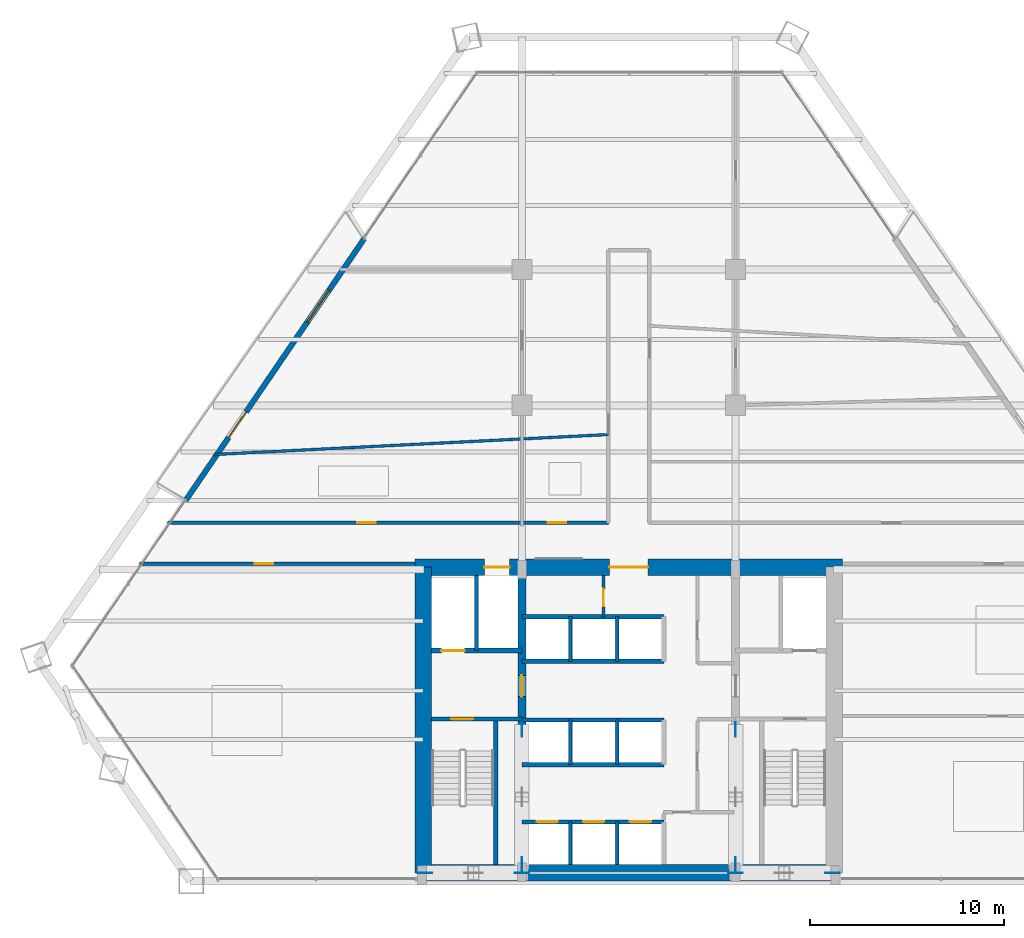
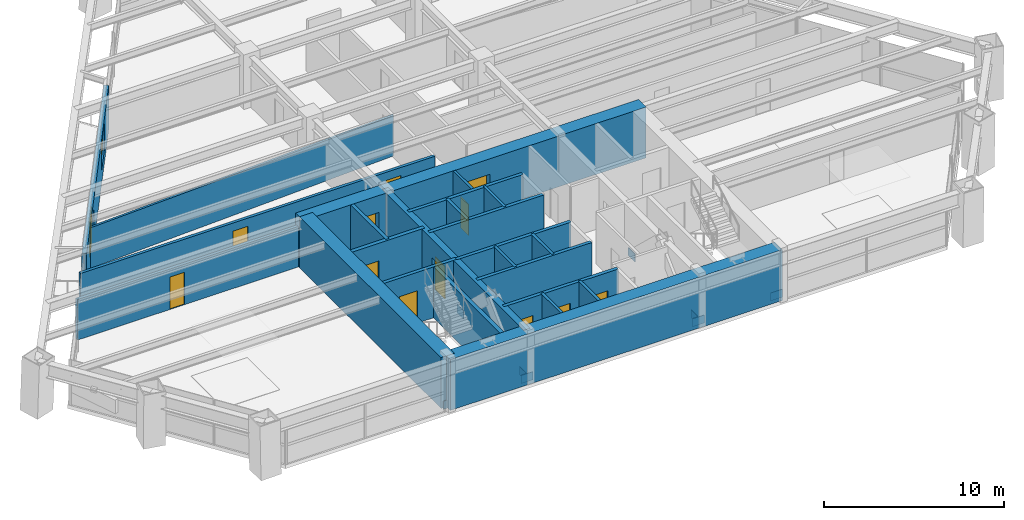
# One storey, part 10 of 14: 24 walls, 13 doors, 8 plates, 1 window, 14 openings.
"""IFC4 building model written with IfcOpenShell, lengths in metres."""

from ifc_helpers import new_model, si_unit, direction, frame, frame_2d, origin, origin_2d, place, context, subcontext, project, spatial, rectangle, extrude, source, transform, mapped, material, layer, layer_set, type_object, type_shapes, element, fill, save


model = new_model("IFC4")

# Units and contexts
model_context = context("Model", 3, precision=1e-05, world=origin(), true_north=direction((0.0, 1.0)))
body_context = subcontext(model_context, "Body", "Model", "MODEL_VIEW")
ifc_project = project(units=[si_unit("LENGTHUNIT", "METRE"), si_unit("AREAUNIT", "SQUARE_METRE"), si_unit("VOLUMEUNIT", "CUBIC_METRE"), si_unit("PLANEANGLEUNIT", "RADIAN"), si_unit("MASSUNIT", "GRAM", prefix="KILO")], contexts=[model_context])

# Site, building, storey
site_placement = place(None, origin())
site = spatial("IfcSite", under=ifc_project, at=site_placement, CompositionType="ELEMENT")
building_placement = place(site_placement, origin())
building = spatial("IfcBuilding", under=site, at=building_placement, Name="Varnakhor Terracotta Tower", CompositionType="ELEMENT")
storey_placement = place(building_placement, frame((0.0, 0.0, 31.199951171875)))
storey = spatial("IfcBuildingStorey", under=building, at=storey_placement, Name="L06", CompositionType="ELEMENT", Elevation=31.199951171875)

# Plates
ifc_material_1 = material(Name="Steel S460", Category="steel")
ifc_layer_1 = layer(ifc_material_1, 0.050048828125, Name="Steel S460")
ifc_layer_set_1 = layer_set([ifc_layer_1], Name="Steel S460")
plate_type = type_object("IfcPlateType", Name="PLT-GUSSET-50", PredefinedType="USERDEFINED", material=ifc_layer_set_1)
shared_shape_1 = source(origin(), body_context, "Body", "SweptSolid", [
    extrude(rectangle(XDim=0.75, YDim=0.0400390625, at=origin_2d()), origin(), (0.0, 0.0, 1.0), 0.550048828125),
])
type_shapes(plate_type, [shared_shape_1])
for number, where, z_axis, x_axis, name in (
    (1, (-10.5, 0.419921875, -0.09521484375), (0.0, 0.0, 1.0), (1.0, 0.0, 0.0), "L06 Core Brace Embed Plate CSWA"),
    (2, (-5.5, 0.419921875, -0.09521484375), (0.0, 0.0, 1.0), (1.0, 0.0, 0.0), "L06 Core Brace Embed Plate CSWB"),
    (3, (5.5, 0.419921875, -0.09521484375), (0.0, 0.0, 1.0), (1.0, 0.0, 0.0), "L06 Core Brace Embed Plate CSEA"),
    (4, (10.5, 0.419921875, -0.09521484375), (0.0, 0.0, 1.0), (1.0, 0.0, 0.0), "L06 Core Brace Embed Plate CSEB"),
    (5, (-5.5, 0.85009765625, -0.09521484375), (0.0, 0.0, 1.0), (0.0, 1.0, 0.0), "L06 Core Brace Embed Plate CWWA"),
    (6, (-5.5, 7.800048828125, -0.09521484375), (0.0, 0.0, 1.0), (0.0, 1.0, 0.0), "L06 Core Brace Embed Plate CWWB"),
    (7, (5.5, 0.85009765625, -0.09521484375), (0.0, 0.0, 1.0), (0.0, 1.0, 0.0), "L06 Core Brace Embed Plate CWEA"),
    (8, (5.5, 7.800048828125, -0.09521484375), (0.0, 0.0, 1.0), (0.0, 1.0, 0.0), "L06 Core Brace Embed Plate CWEB"),
):
    element("IfcPlate", number, at=place(storey_placement, frame(where, z_axis=z_axis, x_axis=x_axis)), inside=storey, type_object=plate_type, Name=name, ObjectType="GUSSET PLATE", PredefinedType="USERDEFINED", context=body_context, shape_type="MappedRepresentation", body=[
        mapped(shared_shape_1, transform((0.0, 0.0, 0.0), scale=1.0)),
    ])

# Wall
ifc_material_2 = material(Name="Concrete C60/75", Category="concrete")
ifc_layer_2 = layer(ifc_material_2, 0.85009765625, Name="Concrete C60/75")
ifc_layer_set_2 = layer_set([ifc_layer_2], Name="Concrete C60/75")
wall_type_1 = type_object("IfcWallType", Name="WAL-CORE-850", PredefinedType="SHEAR", material=ifc_layer_set_2)
wall_1_placement = place(storey_placement, frame((-10.64990234375, 0.425048828125, 0.0), z_axis=(0.0, 0.0, 1.0), x_axis=(1.0, 0.0, 0.0)))
element("IfcWall", 9, at=wall_1_placement, inside=storey, type_object=wall_type_1, Name="L06 South Core Shear Wall", PredefinedType="SHEAR", context=body_context, shape_type="SweptSolid", body=[
    extrude(rectangle(XDim=21.2998046875, YDim=0.85009765625, at=frame_2d((10.64990234375, 0.0))), origin(), (0.0, 0.0, 1.0), 3.449951171875),
])

# Wall, openings, doors
wall_2_placement = place(storey_placement, frame((-11.0, 16.175048828125, 0.0), z_axis=(0.0, 0.0, 1.0), x_axis=(1.0, 0.0, 0.0)))
wall_2 = element("IfcWall", 10, at=wall_2_placement, inside=storey, type_object=wall_type_1, Name="L06 North Core Shear Wall", PredefinedType="SHEAR", context=body_context, shape_type="SweptSolid", body=[
    extrude(rectangle(XDim=22.0, YDim=0.85009765625, at=frame_2d((11.0, 0.0))), origin(), (0.0, 0.0, 1.0), 3.449951171875),
])
opening_1_placement = place(wall_2_placement, frame((3.570068359375, 0.0, 0.0)))
opening_1 = element("IfcOpeningElement", 11, at=opening_1_placement, cuts=wall_2, Name="Opening LD-03", PredefinedType="OPENING", context=body_context, shape_type="SweptSolid", body=[
    extrude(rectangle(XDim=1.300048828125, YDim=2.300048828125, at=frame_2d((0.64990234375, 1.14990234375))), frame((0.0, 0.43505859375, 0.0), z_axis=(0.0, -1.0, 0.0), x_axis=(1.0, 0.0, 0.0)), (0.0, 0.0, 1.0), 0.8701171875),
])
opening_2_placement = place(wall_2_placement, frame((10.0, 0.0, 0.0)))
opening_2 = element("IfcOpeningElement", 12, at=opening_2_placement, cuts=wall_2, Name="Opening DR-32", PredefinedType="OPENING", context=body_context, shape_type="SweptSolid", body=[
    extrude(rectangle(XDim=2.0, YDim=2.39990234375, at=frame_2d((1.0, 1.199951171875))), frame((0.0, 0.43505859375, 0.0), z_axis=(0.0, -1.0, 0.0), x_axis=(1.0, 0.0, 0.0)), (0.0, 0.0, 1.0), 0.8701171875),
])
ifc_material_3 = material(Name="Heavy-Duty Goods Sliding Lift Landing Door", Category="steel")
door_type_1 = type_object("IfcDoorType", Name="LD-SRV-1300X2300", OperationType="NOTDEFINED", PredefinedType="DOOR", material=ifc_material_3)
shared_shape_2 = source(origin(), body_context, "Body", "SweptSolid", [
    extrude(rectangle(XDim=1.300048828125, YDim=2.300048828125, at=frame_2d((0.64990234375, 1.14990234375))), frame((0.0, 0.02490234375, 0.0), z_axis=(0.0, -1.0, 0.0), x_axis=(1.0, 0.0, 0.0)), (0.0, 0.0, 1.0), 0.050048828125),
])
type_shapes(door_type_1, [shared_shape_2])
door_1_placement = place(opening_1_placement, origin())
door_1 = element("IfcDoor", 13, at=door_1_placement, inside=storey, type_object=door_type_1, Name="L06 Service Lift SVL-1 Landing Door", OperationType="SLIDING_TO_RIGHT", OverallHeight=2.300048828125, OverallWidth=1.300048828125, PredefinedType="DOOR", context=body_context, shape_type="MappedRepresentation", body=[
    mapped(shared_shape_2, transform((0.0, 0.0, 0.0), scale=1.0)),
])
fill(opening_1, door_1)
ifc_material_4 = material(Name="Acoustic Double Assembly Fire Door", Category="wood")
door_type_2 = type_object("IfcDoorType", Name="DR-HALL-2000X2400", OperationType="NOTDEFINED", PredefinedType="DOOR", material=ifc_material_4)
shared_shape_3 = source(origin(), body_context, "Body", "SweptSolid", [
    extrude(rectangle(XDim=2.0, YDim=2.39990234375, at=frame_2d((1.0, 1.199951171875))), frame((0.0, 0.02490234375, 0.0), z_axis=(0.0, -1.0, 0.0), x_axis=(1.0, 0.0, 0.0)), (0.0, 0.0, 1.0), 0.050048828125),
])
type_shapes(door_type_2, [shared_shape_3])
door_2_placement = place(opening_2_placement, origin())
door_2 = element("IfcDoor", 14, at=door_2_placement, inside=storey, type_object=door_type_2, Name="L06 Core Main Lobby Double Door", OperationType="DOUBLE_DOOR_SINGLE_SWING", OverallHeight=2.39990234375, OverallWidth=2.0, PredefinedType="DOOR", context=body_context, shape_type="MappedRepresentation", body=[
    mapped(shared_shape_3, transform((0.0, 0.0, 0.0), scale=1.0)),
])
fill(opening_2, door_2)

# Wall
wall_3_placement = place(storey_placement, frame((-10.574951171875, 0.425048828125, 0.0), z_axis=(0.0, 0.0, 1.0), x_axis=(0.0, 1.0, 0.0)))
element("IfcWall", 15, at=wall_3_placement, inside=storey, type_object=wall_type_1, Name="L06 West Core Shear Wall", PredefinedType="SHEAR", context=body_context, shape_type="SweptSolid", body=[
    extrude(rectangle(XDim=15.75, YDim=0.85009765625, at=frame_2d((7.875, 0.0))), origin(), (0.0, 0.0, 1.0), 3.449951171875),
])

# Wall, opening, door
ifc_material_5 = material(Name="Concrete C50/60", Category="concrete")
ifc_layer_3 = layer(ifc_material_5, 0.39990234375, Name="Concrete C50/60")
ifc_layer_set_3 = layer_set([ifc_layer_3], Name="Concrete C50/60")
wall_type_2 = type_object("IfcWallType", Name="WAL-CORE-WEB-400", PredefinedType="SHEAR", material=ifc_layer_set_3)
wall_4_placement = place(storey_placement, frame((-5.5, 0.425048828125, 0.0), z_axis=(0.0, 0.0, 1.0), x_axis=(0.0, 1.0, 0.0)))
wall_4 = element("IfcWall", 16, at=wall_4_placement, inside=storey, type_object=wall_type_2, Name="L06 West Core Web Shear Wall", PredefinedType="SHEAR", context=body_context, shape_type="SweptSolid", body=[
    extrude(rectangle(XDim=15.75, YDim=0.39990234375, at=frame_2d((7.875, 0.0))), origin(), (0.0, 0.0, 1.0), 3.449951171875),
])
opening_3_placement = place(wall_4_placement, frame((9.074951171875, 0.0, 0.0)))
opening_3 = element("IfcOpeningElement", 17, at=opening_3_placement, cuts=wall_4, Name="Opening DR-25", PredefinedType="OPENING", context=body_context, shape_type="SweptSolid", body=[
    extrude(rectangle(XDim=1.10009765625, YDim=2.199951171875, at=frame_2d((0.550048828125, 1.10009765625))), frame((0.0, 0.2099609375, 0.0), z_axis=(0.0, -1.0, 0.0), x_axis=(1.0, 0.0, 0.0)), (0.0, 0.0, 1.0), 0.419921875),
])
ifc_material_6 = material(Name="Firefighting Lobby Self-Closing Fire Door", Category="steel")
door_type_3 = type_object("IfcDoorType", Name="DR-FFL-1100X2200", OperationType="NOTDEFINED", PredefinedType="DOOR", material=ifc_material_6)
shared_shape_4 = source(origin(), body_context, "Body", "SweptSolid", [
    extrude(rectangle(XDim=1.10009765625, YDim=2.199951171875, at=frame_2d((0.550048828125, 1.10009765625))), frame((0.0, 0.02490234375, 0.0), z_axis=(0.0, -1.0, 0.0), x_axis=(1.0, 0.0, 0.0)), (0.0, 0.0, 1.0), 0.050048828125),
])
type_shapes(door_type_3, [shared_shape_4])
door_3_placement = place(opening_3_placement, origin())
door_3 = element("IfcDoor", 18, at=door_3_placement, inside=storey, type_object=door_type_3, Name="L06 West Firefighting Lobby Door", OperationType="SINGLE_SWING_RIGHT", OverallHeight=2.199951171875, OverallWidth=1.10009765625, PredefinedType="DOOR", context=body_context, shape_type="MappedRepresentation", body=[
    mapped(shared_shape_4, transform((0.0, 0.0, 0.0), scale=1.0)),
])
fill(opening_3, door_3)

ifc_material_7 = material(Name="Fire-Rated Gypsum Stud Partition", Category="gypsum")
ifc_layer_4 = layer(ifc_material_7, 0.18505859375, Name="Fire-Rated Gypsum Stud Partition")
ifc_layer_set_4 = layer_set([ifc_layer_4], Name="Fire-Rated Gypsum Stud Partition")
wall_type_3 = type_object("IfcWallType", Name="WAL-CORR-185", PredefinedType="PARTITIONING", material=ifc_layer_set_4)
wall_5_placement = place(storey_placement, frame((-25.19873046875, 16.35009765625, 0.0), z_axis=(0.0, 0.0, 1.0), x_axis=(1.0, 0.0, 0.0)))
wall_5 = element("IfcWall", 19, at=wall_5_placement, inside=storey, type_object=wall_type_3, Name="L06 South West Corridor Wall", PredefinedType="PARTITIONING", context=body_context, shape_type="SweptSolid", body=[
    extrude(rectangle(XDim=14.1787109375, YDim=0.18505859375, at=frame_2d((7.08935546875, 0.0))), origin(), (0.0, 0.0, 1.0), 2.7470703125),
])
opening_4_placement = place(wall_5_placement, frame((5.939453125, 0.0, 0.0)))
opening_4 = element("IfcOpeningElement", 20, at=opening_4_placement, cuts=wall_5, Name="Opening DR-94", PredefinedType="OPENING", context=body_context, shape_type="SweptSolid", body=[
    extrude(rectangle(XDim=0.949951171875, YDim=2.199951171875, at=frame_2d((0.47509765625, 1.10009765625))), frame((0.0, 0.1025390625, 0.0), z_axis=(0.0, -1.0, 0.0), x_axis=(1.0, 0.0, 0.0)), (0.0, 0.0, 1.0), 0.205078125),
])
ifc_material_8 = material(Name="Acoustic Glazed-Vision Timber Office Door", Category="wood")
door_type_4 = type_object("IfcDoorType", Name="DR-OFF-950X2200", OperationType="NOTDEFINED", PredefinedType="DOOR", material=ifc_material_8)
shared_shape_5 = source(origin(), body_context, "Body", "SweptSolid", [
    extrude(rectangle(XDim=0.949951171875, YDim=2.199951171875, at=frame_2d((0.47509765625, 1.10009765625))), frame((0.0, 0.02490234375, 0.0), z_axis=(0.0, -1.0, 0.0), x_axis=(1.0, 0.0, 0.0)), (0.0, 0.0, 1.0), 0.050048828125),
])
type_shapes(door_type_4, [shared_shape_5])
door_4_placement = place(opening_4_placement, origin())
door_4 = element("IfcDoor", 21, at=door_4_placement, inside=storey, type_object=door_type_4, Name="L06 SW Suite Door", OperationType="SINGLE_SWING_LEFT", OverallHeight=2.199951171875, OverallWidth=0.949951171875, PredefinedType="DOOR", context=body_context, shape_type="MappedRepresentation", body=[
    mapped(shared_shape_5, transform((0.0, 0.0, 0.0), scale=1.0)),
])
fill(opening_4, door_4)

# Wall, openings, doors
wall_6_placement = place(storey_placement, frame((-23.766357421875, 18.449951171875, 0.0), z_axis=(0.0, 0.0, 1.0), x_axis=(1.0, 0.0, 0.0)))
wall_6 = element("IfcWall", 22, at=wall_6_placement, inside=storey, type_object=wall_type_3, Name="L06 Corridor North West Wall", PredefinedType="PARTITIONING", context=body_context, shape_type="SweptSolid", body=[
    extrude(rectangle(XDim=22.71630859375, YDim=0.18505859375, at=frame_2d((11.358154296875, 0.0))), origin(), (0.0, 0.0, 1.0), 2.7470703125),
])
opening_5_placement = place(wall_6_placement, frame((9.781494140625, 0.0, 0.0)))
opening_5 = element("IfcOpeningElement", 23, at=opening_5_placement, cuts=wall_6, Name="Opening DR-94", PredefinedType="OPENING", context=body_context, shape_type="SweptSolid", body=[
    extrude(rectangle(XDim=0.949951171875, YDim=2.199951171875, at=frame_2d((0.47509765625, 1.10009765625))), frame((0.0, 0.1025390625, 0.0), z_axis=(0.0, -1.0, 0.0), x_axis=(1.0, 0.0, 0.0)), (0.0, 0.0, 1.0), 0.205078125),
])
opening_6_placement = place(wall_6_placement, frame((19.589599609375, 0.0, 0.0)))
opening_6 = element("IfcOpeningElement", 24, at=opening_6_placement, cuts=wall_6, Name="Opening DR-94", PredefinedType="OPENING", context=body_context, shape_type="SweptSolid", body=[
    extrude(rectangle(XDim=0.949951171875, YDim=2.199951171875, at=frame_2d((0.47509765625, 1.10009765625))), frame((0.0, 0.1025390625, 0.0), z_axis=(0.0, -1.0, 0.0), x_axis=(1.0, 0.0, 0.0)), (0.0, 0.0, 1.0), 0.205078125),
])
door_5_placement = place(opening_5_placement, origin())
door_5 = element("IfcDoor", 25, at=door_5_placement, inside=storey, type_object=door_type_4, Name="L06 West Workplace Door", OperationType="SINGLE_SWING_LEFT", OverallHeight=2.199951171875, OverallWidth=0.949951171875, PredefinedType="DOOR", context=body_context, shape_type="MappedRepresentation", body=[
    mapped(shared_shape_5, transform((0.0, 0.0, 0.0), scale=1.0)),
])
fill(opening_5, door_5)
door_6_placement = place(opening_6_placement, origin())
door_6 = element("IfcDoor", 26, at=door_6_placement, inside=storey, type_object=door_type_4, Name="L06 Executive Office 2 B7 Door", OperationType="SINGLE_SWING_RIGHT", OverallHeight=2.199951171875, OverallWidth=0.949951171875, PredefinedType="DOOR", context=body_context, shape_type="MappedRepresentation", body=[
    mapped(shared_shape_5, transform((0.0, 0.0, 0.0), scale=1.0)),
])
fill(opening_6, door_6)

# Wall, openings, door, window
ifc_material_9 = material(Name="Extruded Architectural Terracotta Assembly", Category="masonry")
ifc_layer_5 = layer(ifc_material_9, 0.280029296875, Name="Extruded Architectural Terracotta Assembly")
ifc_layer_set_5 = layer_set([ifc_layer_5], Name="Extruded Architectural Terracotta Assembly")
wall_type_4 = type_object("IfcWallType", Name="WAL-EXT-TERRACOTTA-280", PredefinedType="SOLIDWALL", material=ifc_layer_set_5)
wall_7_placement = place(storey_placement, frame((-22.81689453125, 19.611328125, 0.0), z_axis=(0.0, 0.0, 1.0), x_axis=(0.563492719081, 0.826121029598, 0.0)))
wall_7 = element("IfcWall", 27, at=wall_7_placement, inside=storey, type_object=wall_type_4, Name="L06 W Loggia Insulated Terracotta Wall", PredefinedType="SOLIDWALL", context=body_context, shape_type="SweptSolid", body=[
    extrude(rectangle(XDim=16.32666015625, YDim=0.280029296875, at=frame_2d((8.163330078125, 0.0))), origin(), (0.0, 0.0, 1.0), 3.030029296875),
])
opening_7_placement = place(wall_7_placement, frame((3.91845703125, 0.0, 0.0)))
opening_7 = element("IfcOpeningElement", 28, at=opening_7_placement, cuts=wall_7, Name="Opening DR-62", PredefinedType="OPENING", context=body_context, shape_type="SweptSolid", body=[
    extrude(rectangle(XDim=1.60009765625, YDim=2.35009765625, at=frame_2d((0.800048828125, 1.175048828125))), frame((0.0, 0.14990234375, 0.0), z_axis=(0.0, -1.0, 0.0), x_axis=(1.0, 0.0, 0.0)), (0.0, 0.0, 1.0), 0.300048828125),
])
opening_8_placement = place(wall_7_placement, frame((11.102294921875, 0.0, 0.89990234375)))
opening_8 = element("IfcOpeningElement", 29, at=opening_8_placement, cuts=wall_7, Name="Opening WN-26", PredefinedType="OPENING", context=body_context, shape_type="SweptSolid", body=[
    extrude(rectangle(XDim=2.0, YDim=1.85009765625, at=frame_2d((1.0, 0.925048828125))), frame((0.0, 0.14990234375, 0.0), z_axis=(0.0, -1.0, 0.0), x_axis=(1.0, 0.0, 0.0)), (0.0, 0.0, 1.0), 0.300048828125),
])
ifc_material_10 = material(Name="Thermally Broken Sliding Glass Loggia Door", Category="glass")
door_type_5 = type_object("IfcDoorType", Name="DR-EXT-LOGGIA-1600X2350", OperationType="NOTDEFINED", PredefinedType="DOOR", material=ifc_material_10)
shared_shape_6 = source(origin(), body_context, "Body", "SweptSolid", [
    extrude(rectangle(XDim=1.60009765625, YDim=2.35009765625, at=frame_2d((0.800048828125, 1.175048828125))), frame((0.0, 0.02490234375, 0.0), z_axis=(0.0, -1.0, 0.0), x_axis=(1.0, 0.0, 0.0)), (0.0, 0.0, 1.0), 0.050048828125),
])
type_shapes(door_type_5, [shared_shape_6])
door_7_placement = place(opening_7_placement, origin())
door_7 = element("IfcDoor", 30, at=door_7_placement, inside=storey, type_object=door_type_5, Name="L06 W Recessed Loggia Sliding Door", OperationType="SLIDING_TO_LEFT", OverallHeight=2.35009765625, OverallWidth=1.60009765625, PredefinedType="DOOR", context=body_context, shape_type="MappedRepresentation", body=[
    mapped(shared_shape_6, transform((0.0, 0.0, 0.0), scale=1.0)),
])
fill(opening_7, door_7)
ifc_material_11 = material(Name="Solar-Control Low-E Insulated Glass Unit", Category="glass")
window_type = type_object("IfcWindowType", Name="WIN-OFF-2200X2100", PartitioningType="SINGLE_PANEL", PredefinedType="WINDOW", material=ifc_material_11)
shared_shape_7 = source(origin(), body_context, "Body", "SweptSolid", [
    extrude(rectangle(XDim=2.0, YDim=1.85009765625, at=frame_2d((1.0, 0.925048828125))), frame((0.0, 0.030029296875, 0.0), z_axis=(0.0, -1.0, 0.0), x_axis=(1.0, 0.0, 0.0)), (0.0, 0.0, 1.0), 0.06005859375),
])
type_shapes(window_type, [shared_shape_7])
window_placement = place(opening_8_placement, origin())
window = element("IfcWindow", 31, at=window_placement, inside=storey, type_object=window_type, Name="L06 W Facet Punched Window", OverallHeight=1.85009765625, OverallWidth=2.0, PartitioningType="SINGLE_PANEL", PredefinedType="WINDOW", context=body_context, shape_type="MappedRepresentation", body=[
    mapped(shared_shape_7, transform((0.0, 0.0, 0.0), scale=1.0)),
])
fill(opening_8, window)

# Wall, opening, door
ifc_material_12 = material(Name="Concrete C40/50", Category="concrete")
ifc_layer_6 = layer(ifc_material_12, 0.219970703125, Name="Concrete C40/50")
ifc_layer_set_6 = layer_set([ifc_layer_6], Name="Concrete C40/50")
wall_type_5 = type_object("IfcWallType", Name="WAL-FFLOBBY-220", PredefinedType="SOLIDWALL", material=ifc_layer_set_6)
wall_8_placement = place(storey_placement, frame((-5.5, 8.35009765625, 0.0), z_axis=(0.0, 0.0, 1.0), x_axis=(-1.0, 0.0, 0.0)))
wall_8 = element("IfcWall", 32, at=wall_8_placement, inside=storey, type_object=wall_type_5, Name="L06 West Firefighting Lobby Stair Wall", PredefinedType="SOLIDWALL", context=body_context, shape_type="SweptSolid", body=[
    extrude(rectangle(XDim=4.64990234375, YDim=0.219970703125, at=frame_2d((2.324951171875, 0.0))), origin(), (0.0, 0.0, 1.0), 3.449951171875),
])
opening_9_placement = place(wall_8_placement, frame((2.5, 0.0, 0.0)))
opening_9 = element("IfcOpeningElement", 33, at=opening_9_placement, cuts=wall_8, Name="Opening DR-34", PredefinedType="OPENING", context=body_context, shape_type="SweptSolid", body=[
    extrude(rectangle(XDim=1.14990234375, YDim=2.199951171875, at=frame_2d((0.574951171875, 1.10009765625))), frame((0.0, 0.1201171875, 0.0), z_axis=(0.0, -1.0, 0.0), x_axis=(1.0, 0.0, 0.0)), (0.0, 0.0, 1.0), 0.239990234375),
])
ifc_material_13 = material(Name="Self-Closing Smoke-Sealed Steel Fire Door", Category="steel")
door_type_6 = type_object("IfcDoorType", Name="DR-STAIR-1150X2200", OperationType="NOTDEFINED", PredefinedType="DOOR", material=ifc_material_13)
shared_shape_8 = source(origin(), body_context, "Body", "SweptSolid", [
    extrude(rectangle(XDim=1.14990234375, YDim=2.199951171875, at=frame_2d((0.574951171875, 1.10009765625))), frame((0.0, 0.02490234375, 0.0), z_axis=(0.0, -1.0, 0.0), x_axis=(1.0, 0.0, 0.0)), (0.0, 0.0, 1.0), 0.050048828125),
])
type_shapes(door_type_6, [shared_shape_8])
door_8_placement = place(opening_9_placement, origin())
door_8 = element("IfcDoor", 34, at=door_8_placement, inside=storey, type_object=door_type_6, Name="L06 Exit Stair ST-1 Fire Door", OperationType="SINGLE_SWING_LEFT", OverallHeight=2.199951171875, OverallWidth=1.14990234375, PredefinedType="DOOR", context=body_context, shape_type="MappedRepresentation", body=[
    mapped(shared_shape_8, transform((0.0, 0.0, 0.0), scale=1.0)),
])
fill(opening_9, door_8)

# Walls
ifc_material_14 = material(Name="Acoustic Metal-Stud Partition", Category="gypsum")
ifc_layer_7 = layer(ifc_material_14, 0.139892578125, Name="Acoustic Metal-Stud Partition")
ifc_layer_set_7 = layer_set([ifc_layer_7], Name="Acoustic Metal-Stud Partition")
wall_type_6 = type_object("IfcWallType", Name="WAL-PART-140", PredefinedType="PARTITIONING", material=ifc_layer_set_7)
wall_9_placement = place(storey_placement, frame((-21.364501953125, 21.971435546875, 0.0), z_axis=(0.0, 0.0, 1.0), x_axis=(0.998720651947, 0.050567374611, 0.0)))
element("IfcWall", 35, at=wall_9_placement, inside=storey, type_object=wall_type_6, Name="L06 West Wing Cut 1", PredefinedType="PARTITIONING", context=body_context, shape_type="SweptSolid", body=[
    extrude(rectangle(XDim=20.340576171875, YDim=0.139892578125, at=frame_2d((10.17041015625, 0.0))), origin(), (0.0, 0.0, 1.0), 2.7470703125),
])
ifc_layer_8 = layer(ifc_material_12, 0.179931640625, Name="Concrete C40/50")
ifc_layer_set_8 = layer_set([ifc_layer_8], Name="Concrete C40/50")
wall_type_7 = type_object("IfcWallType", Name="WAL-SHAFT-180", PredefinedType="SOLIDWALL", material=ifc_layer_set_8)
for number, where, z_axis, x_axis, name in (
    (36, (-3.0, 0.85009765625, 0.0), (0.0, 0.0, 1.0), (0.0, 1.0, 0.0), "L06 PL-1A Divider"),
    (37, (-0.60009765625, 0.85009765625, 0.0), (0.0, 0.0, 1.0), (0.0, 1.0, 0.0), "L06 PL-1B Divider"),
):
    element("IfcWall", number, at=place(storey_placement, frame(where, z_axis=z_axis, x_axis=x_axis)), inside=storey, type_object=wall_type_7, Name=name, PredefinedType="SOLIDWALL", context=body_context, shape_type="SweptSolid", body=[
        extrude(rectangle(XDim=2.199951171875, YDim=0.179931640625, at=frame_2d((1.10009765625, 0.0))), origin(), (0.0, 0.0, 1.0), 3.449951171875),
    ])
for number, where, z_axis, x_axis, name in (
    (38, (-3.0, 6.0, 0.0), (0.0, 0.0, 1.0), (0.0, 1.0, 0.0), "L06 PL-2A Divider"),
    (39, (-0.60009765625, 6.0, 0.0), (0.0, 0.0, 1.0), (0.0, 1.0, 0.0), "L06 PL-2B Divider"),
    (40, (-3.0, 11.320068359375, 0.0), (0.0, 0.0, 1.0), (0.0, 1.0, 0.0), "L06 PL-3A Divider"),
    (41, (-0.60009765625, 11.320068359375, 0.0), (0.0, 0.0, 1.0), (0.0, 1.0, 0.0), "L06 PL-3B Divider"),
):
    element("IfcWall", number, at=place(storey_placement, frame(where, z_axis=z_axis, x_axis=x_axis)), inside=storey, type_object=wall_type_7, Name=name, PredefinedType="SOLIDWALL", context=body_context, shape_type="SweptSolid", body=[
        extrude(rectangle(XDim=2.300048828125, YDim=0.179931640625, at=frame_2d((1.14990234375, 0.0))), origin(), (0.0, 0.0, 1.0), 3.449951171875),
    ])
ifc_layer_9 = layer(ifc_material_12, 0.219970703125, Name="Concrete C40/50")
ifc_layer_set_9 = layer_set([ifc_layer_9], Name="Concrete C40/50")
wall_type_8 = type_object("IfcWallType", Name="WAL-SHAFT-220", PredefinedType="SOLIDWALL", material=ifc_layer_set_9)
wall_10_placement = place(storey_placement, frame((-7.840087890625, 11.8701171875, 0.0), z_axis=(0.0, 0.0, 1.0), x_axis=(0.0, 1.0, 0.0)))
element("IfcWall", 42, at=wall_10_placement, inside=storey, type_object=wall_type_8, Name="L06 Lift FFL-1 and SVL-1 Divider Wall", PredefinedType="SOLIDWALL", context=body_context, shape_type="SweptSolid", body=[
    extrude(rectangle(XDim=3.8798828125, YDim=0.219970703125, at=frame_2d((1.93994140625, 0.0))), origin(), (0.0, 0.0, 1.0), 3.449951171875),
])

# Wall, openings, doors
wall_11_placement = place(storey_placement, frame((-5.5, 3.050048828125, 0.0), z_axis=(0.0, 0.0, 1.0), x_axis=(1.0, 0.0, 0.0)))
wall_11 = element("IfcWall", 43, at=wall_11_placement, inside=storey, type_object=wall_type_8, Name="L06 Bank 1 Lift Shaft Wall", PredefinedType="SOLIDWALL", context=body_context, shape_type="SweptSolid", body=[
    extrude(rectangle(XDim=7.320068359375, YDim=0.219970703125, at=frame_2d((3.66015625, 0.0))), origin(), (0.0, 0.0, 1.0), 3.449951171875),
])
opening_10_placement = place(wall_11_placement, frame((0.75, 0.0, 0.0)))
opening_10 = element("IfcOpeningElement", 44, at=opening_10_placement, cuts=wall_11, Name="Opening LD-01", PredefinedType="OPENING", context=body_context, shape_type="SweptSolid", body=[
    extrude(rectangle(XDim=1.10009765625, YDim=2.199951171875, at=frame_2d((0.550048828125, 1.10009765625))), frame((0.0, 0.1201171875, 0.0), z_axis=(0.0, -1.0, 0.0), x_axis=(1.0, 0.0, 0.0)), (0.0, 0.0, 1.0), 0.239990234375),
])
opening_11_placement = place(wall_11_placement, frame((3.14990234375, 0.0, 0.0)))
opening_11 = element("IfcOpeningElement", 45, at=opening_11_placement, cuts=wall_11, Name="Opening LD-01", PredefinedType="OPENING", context=body_context, shape_type="SweptSolid", body=[
    extrude(rectangle(XDim=1.10009765625, YDim=2.199951171875, at=frame_2d((0.550048828125, 1.10009765625))), frame((0.0, 0.1201171875, 0.0), z_axis=(0.0, -1.0, 0.0), x_axis=(1.0, 0.0, 0.0)), (0.0, 0.0, 1.0), 0.239990234375),
])
opening_12_placement = place(wall_11_placement, frame((5.550048828125, 0.0, 0.0)))
opening_12 = element("IfcOpeningElement", 46, at=opening_12_placement, cuts=wall_11, Name="Opening LD-01", PredefinedType="OPENING", context=body_context, shape_type="SweptSolid", body=[
    extrude(rectangle(XDim=1.10009765625, YDim=2.199951171875, at=frame_2d((0.550048828125, 1.10009765625))), frame((0.0, 0.1201171875, 0.0), z_axis=(0.0, -1.0, 0.0), x_axis=(1.0, 0.0, 0.0)), (0.0, 0.0, 1.0), 0.239990234375),
])
ifc_material_15 = material(Name="Brushed Stainless Steel Sliding Lift Landing Door", Category="steel")
door_type_7 = type_object("IfcDoorType", Name="LD-PASS-1100X2200", OperationType="NOTDEFINED", PredefinedType="DOOR", material=ifc_material_15)
shared_shape_9 = source(origin(), body_context, "Body", "SweptSolid", [
    extrude(rectangle(XDim=1.10009765625, YDim=2.199951171875, at=frame_2d((0.550048828125, 1.10009765625))), frame((0.0, 0.02490234375, 0.0), z_axis=(0.0, -1.0, 0.0), x_axis=(1.0, 0.0, 0.0)), (0.0, 0.0, 1.0), 0.050048828125),
])
type_shapes(door_type_7, [shared_shape_9])
door_9_placement = place(opening_10_placement, origin())
door_9 = element("IfcDoor", 47, at=door_9_placement, inside=storey, type_object=door_type_7, Name="L06 Passenger Lift PL-1A Landing Door", OperationType="SLIDING_TO_RIGHT", OverallHeight=2.199951171875, OverallWidth=1.10009765625, PredefinedType="DOOR", context=body_context, shape_type="MappedRepresentation", body=[
    mapped(shared_shape_9, transform((0.0, 0.0, 0.0), scale=1.0)),
])
fill(opening_10, door_9)
door_10_placement = place(opening_11_placement, origin())
door_10 = element("IfcDoor", 48, at=door_10_placement, inside=storey, type_object=door_type_7, Name="L06 Passenger Lift PL-1B Landing Door", OperationType="SLIDING_TO_RIGHT", OverallHeight=2.199951171875, OverallWidth=1.10009765625, PredefinedType="DOOR", context=body_context, shape_type="MappedRepresentation", body=[
    mapped(shared_shape_9, transform((0.0, 0.0, 0.0), scale=1.0)),
])
fill(opening_11, door_10)
door_11_placement = place(opening_12_placement, origin())
door_11 = element("IfcDoor", 49, at=door_11_placement, inside=storey, type_object=door_type_7, Name="L06 Passenger Lift PL-1C Landing Door", OperationType="SLIDING_TO_RIGHT", OverallHeight=2.199951171875, OverallWidth=1.10009765625, PredefinedType="DOOR", context=body_context, shape_type="MappedRepresentation", body=[
    mapped(shared_shape_9, transform((0.0, 0.0, 0.0), scale=1.0)),
])
fill(opening_12, door_11)

# Walls
for number, where, z_axis, x_axis, name in (
    (50, (-5.5, 6.0, 0.0), (0.0, 0.0, 1.0), (1.0, 0.0, 0.0), "L06 Bank 2 South Shaft Wall"),
    (51, (-5.5, 8.300048828125, 0.0), (0.0, 0.0, 1.0), (1.0, 0.0, 0.0), "L06 Bank 2 North Shaft Wall"),
    (52, (-5.5, 11.320068359375, 0.0), (0.0, 0.0, 1.0), (1.0, 0.0, 0.0), "L06 Bank 3 South Shaft Wall"),
    (53, (-5.5, 13.6201171875, 0.0), (0.0, 0.0, 1.0), (1.0, 0.0, 0.0), "L06 Bank 3 North Shaft Wall"),
):
    element("IfcWall", number, at=place(storey_placement, frame(where, z_axis=z_axis, x_axis=x_axis)), inside=storey, type_object=wall_type_8, Name=name, PredefinedType="SOLIDWALL", context=body_context, shape_type="SweptSolid", body=[
        extrude(rectangle(XDim=7.320068359375, YDim=0.219970703125, at=frame_2d((3.66015625, 0.0))), origin(), (0.0, 0.0, 1.0), 3.449951171875),
    ])
ifc_layer_10 = layer(ifc_material_12, 0.25, Name="Concrete C40/50")
ifc_layer_set_10 = layer_set([ifc_layer_10], Name="Concrete C40/50")
wall_type_9 = type_object("IfcWallType", Name="WAL-SHAFT-250", PredefinedType="SOLIDWALL", material=ifc_layer_set_10)
wall_12_placement = place(storey_placement, frame((-6.85009765625, 0.85009765625, 0.0), z_axis=(0.0, 0.0, 1.0), x_axis=(0.0, 1.0, 0.0)))
element("IfcWall", 54, at=wall_12_placement, inside=storey, type_object=wall_type_9, Name="L06 Stair ST-1 Bearing Shaft Wall", PredefinedType="SOLIDWALL", context=body_context, shape_type="SweptSolid", body=[
    extrude(rectangle(XDim=7.5, YDim=0.25, at=frame_2d((3.75, 0.0))), origin(), (0.0, 0.0, 1.0), 3.449951171875),
])

# Wall, opening, door
wall_13_placement = place(storey_placement, frame((-5.5, 11.8701171875, 0.0), z_axis=(0.0, 0.0, 1.0), x_axis=(-1.0, 0.0, 0.0)))
wall_13 = element("IfcWall", 55, at=wall_13_placement, inside=storey, type_object=wall_type_9, Name="L06 Lift FFL-1 Shaft Front Wall", PredefinedType="SOLIDWALL", context=body_context, shape_type="SweptSolid", body=[
    extrude(rectangle(XDim=4.64990234375, YDim=0.25, at=frame_2d((2.324951171875, 0.0))), origin(), (0.0, 0.0, 1.0), 3.449951171875),
])
opening_13_placement = place(wall_13_placement, frame((2.949951171875, 0.0, 0.0)))
opening_13 = element("IfcOpeningElement", 56, at=opening_13_placement, cuts=wall_13, Name="Opening LD-02", PredefinedType="OPENING", context=body_context, shape_type="SweptSolid", body=[
    extrude(rectangle(XDim=1.199951171875, YDim=2.25, at=frame_2d((0.60009765625, 1.125))), frame((0.0, 0.135009765625, 0.0), z_axis=(0.0, -1.0, 0.0), x_axis=(1.0, 0.0, 0.0)), (0.0, 0.0, 1.0), 0.27001953125),
])
ifc_material_16 = material(Name="Firefighting Stretcher Sliding Lift Landing Door", Category="steel")
door_type_8 = type_object("IfcDoorType", Name="LD-FFL-1200X2250", OperationType="NOTDEFINED", PredefinedType="DOOR", material=ifc_material_16)
shared_shape_10 = source(origin(), body_context, "Body", "SweptSolid", [
    extrude(rectangle(XDim=1.199951171875, YDim=2.25, at=frame_2d((0.60009765625, 1.125))), frame((0.0, 0.02490234375, 0.0), z_axis=(0.0, -1.0, 0.0), x_axis=(1.0, 0.0, 0.0)), (0.0, 0.0, 1.0), 0.050048828125),
])
type_shapes(door_type_8, [shared_shape_10])
door_12_placement = place(opening_13_placement, origin())
door_12 = element("IfcDoor", 57, at=door_12_placement, inside=storey, type_object=door_type_8, Name="L06 Firefighting Lift FFL-1 Landing Door", OperationType="SLIDING_TO_LEFT", OverallHeight=2.25, OverallWidth=1.199951171875, PredefinedType="DOOR", context=body_context, shape_type="MappedRepresentation", body=[
    mapped(shared_shape_10, transform((0.0, 0.0, 0.0), scale=1.0)),
])
fill(opening_13, door_12)

ifc_material_17 = material(Name="Acoustic Fire-Rated Partition", Category="gypsum")
ifc_layer_11 = layer(ifc_material_17, 0.1650390625, Name="Acoustic Fire-Rated Partition")
ifc_layer_set_11 = layer_set([ifc_layer_11], Name="Acoustic Fire-Rated Partition")
wall_type_10 = type_object("IfcWallType", Name="WAL-TENANCY-165", PredefinedType="PARTITIONING", material=ifc_layer_set_11)
wall_14_placement = place(storey_placement, frame((-1.300048828125, 13.60009765625, 0.0), z_axis=(0.0, 0.0, 1.0), x_axis=(0.0, 1.0, 0.0)))
wall_14 = element("IfcWall", 58, at=wall_14_placement, inside=storey, type_object=wall_type_10, Name="L06 Male Restroom Wall", PredefinedType="PARTITIONING", context=body_context, shape_type="SweptSolid", body=[
    extrude(rectangle(XDim=2.14990234375, YDim=0.1650390625, at=frame_2d((1.074951171875, 0.0))), origin(), (0.0, 0.0, 1.0), 3.442138671875),
])
opening_14_placement = place(wall_14_placement, frame((0.550048828125, 0.0, 0.0)))
opening_14 = element("IfcOpeningElement", 59, at=opening_14_placement, cuts=wall_14, Name="Opening DR-67", PredefinedType="OPENING", context=body_context, shape_type="SweptSolid", body=[
    extrude(rectangle(XDim=0.89990234375, YDim=2.10009765625, at=frame_2d((0.449951171875, 1.050048828125))), frame((0.0, 0.092529296875, 0.0), z_axis=(0.0, -1.0, 0.0), x_axis=(1.0, 0.0, 0.0)), (0.0, 0.0, 1.0), 0.18505859375),
])
ifc_material_18 = material(Name="Steel Service Riser Fire Door", Category="steel")
door_type_9 = type_object("IfcDoorType", Name="DR-RISER-900X2100", OperationType="NOTDEFINED", PredefinedType="DOOR", material=ifc_material_18)
shared_shape_11 = source(origin(), body_context, "Body", "SweptSolid", [
    extrude(rectangle(XDim=0.89990234375, YDim=2.10009765625, at=frame_2d((0.449951171875, 1.050048828125))), frame((0.0, 0.02490234375, 0.0), z_axis=(0.0, -1.0, 0.0), x_axis=(1.0, 0.0, 0.0)), (0.0, 0.0, 1.0), 0.050048828125),
])
type_shapes(door_type_9, [shared_shape_11])
door_13_placement = place(opening_14_placement, origin())
door_13 = element("IfcDoor", 60, at=door_13_placement, inside=storey, type_object=door_type_9, Name="L06 Male WC Door", OperationType="SINGLE_SWING_LEFT", OverallHeight=2.10009765625, OverallWidth=0.89990234375, PredefinedType="DOOR", context=body_context, shape_type="MappedRepresentation", body=[
    mapped(shared_shape_11, transform((0.0, 0.0, 0.0), scale=1.0)),
])
fill(opening_14, door_13)

save(model, "model.ifc")
